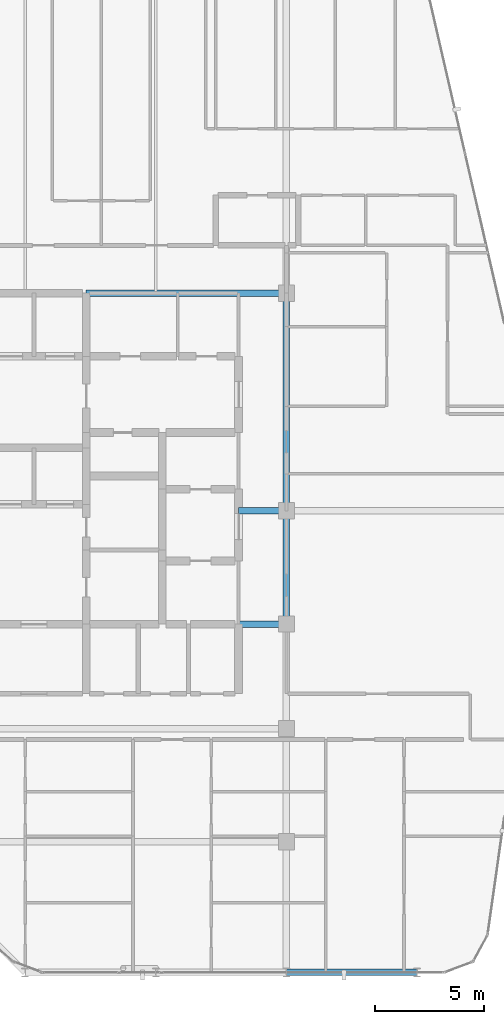
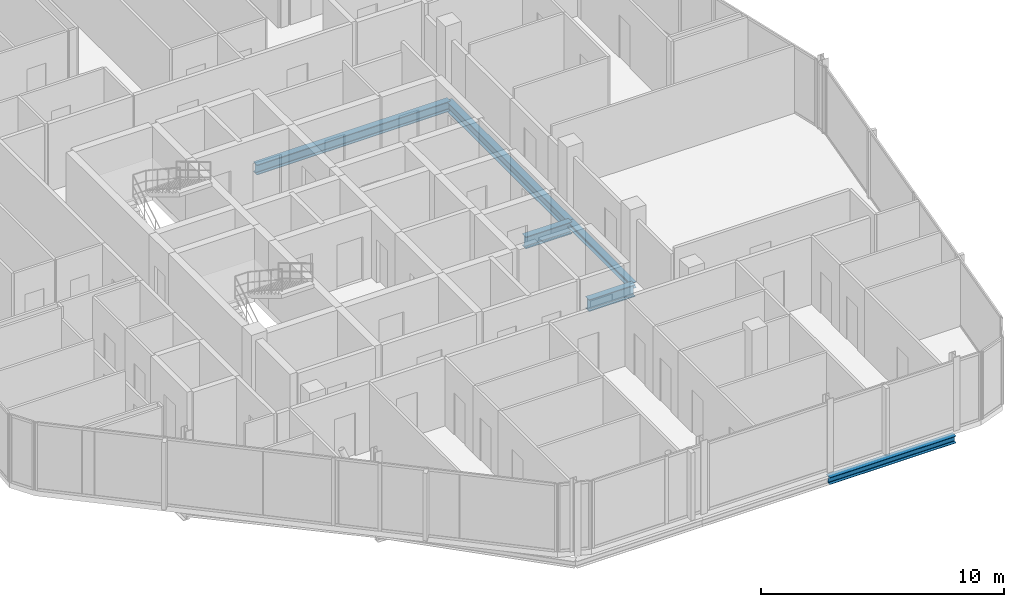
# One storey, part 11 of 28: 6 beams.
"""IFC4 building model written with IfcOpenShell, lengths in metres."""

from ifc_helpers import new_model, si_unit, direction, frame, origin, origin_2d, place, context, subcontext, project, spatial, i_section, extrude, material, material_profile, profile_set, type_object, element, save


model = new_model("IFC4")

# Units and contexts
model_context = context("Model", 3, precision=1e-05, world=origin(), true_north=direction((0.0, 1.0)))
body_context = subcontext(model_context, "Body", "Model", "MODEL_VIEW")
ifc_project = project(units=[si_unit("LENGTHUNIT", "METRE"), si_unit("AREAUNIT", "SQUARE_METRE"), si_unit("VOLUMEUNIT", "CUBIC_METRE"), si_unit("PLANEANGLEUNIT", "RADIAN"), si_unit("MASSUNIT", "GRAM", prefix="KILO")], contexts=[model_context])

# Site, building, storey
site_placement = place(None, origin())
site = spatial("IfcSite", under=ifc_project, at=site_placement, CompositionType="ELEMENT")
building_placement = place(site_placement, origin())
building = spatial("IfcBuilding", under=site, at=building_placement, Name="Keshet Zoharim Tower", CompositionType="ELEMENT")
storey_placement = place(building_placement, frame((0.0, 0.0, 251.0)))
storey = spatial("IfcBuildingStorey", under=building, at=storey_placement, Name="L62", CompositionType="ELEMENT", Elevation=251.0)

# Beams
ifc_material = material(Name="Steel S355", Category="steel")
ifc_material_profile_1 = material_profile(ifc_material, i_section(OverallWidth=0.300048828125, OverallDepth=0.60009765625, WebThickness=0.015380859375, FlangeThickness=0.030029296875, FilletRadius=0.027099609375, at=origin_2d()), Name="HEB600")
ifc_profile_set_1 = profile_set([ifc_material_profile_1], Name="Steel S355")
beam_type_1 = type_object("IfcBeamType", Name="BM-CLK-HB600", PredefinedType="BEAM", material=ifc_profile_set_1)
for number, where, z_axis, x_axis, name in (
    (1, (30.800048828125, 22.699951171875, -0.610107421875), (1.0, 0.0, 0.0), (0.0, 1.0, 0.0), "L62 Core Wall Link Girder 01"),
    (2, (30.800048828125, 27.89990234375, -0.610107421875), (1.0, 0.0, 0.0), (0.0, 1.0, 0.0), "L62 Core Wall Link Girder 02"),
):
    element("IfcBeam", number, at=place(storey_placement, frame(where, z_axis=z_axis, x_axis=x_axis)), inside=storey, type_object=beam_type_1, Name=name, PredefinedType="BEAM", context=body_context, shape_type="SweptSolid", body=[
        extrude(i_section(OverallWidth=0.300048828125, OverallDepth=0.60009765625, WebThickness=0.015380859375, FlangeThickness=0.030029296875, FilletRadius=0.027099609375, at=origin_2d()), origin(), (0.0, 0.0, 1.0), 2.199951171875),
    ])
ifc_material_profile_2 = material_profile(ifc_material, i_section(OverallWidth=0.300048828125, OverallDepth=0.5, WebThickness=0.014404296875, FlangeThickness=0.028076171875, FilletRadius=0.027099609375, at=origin_2d()), Name="HEB500")
ifc_profile_set_2 = profile_set([ifc_material_profile_2], Name="Steel S355")
beam_type_2 = type_object("IfcBeamType", Name="BM-MED-HB500", PredefinedType="BEAM", material=ifc_profile_set_2)
beam_1_placement = place(storey_placement, frame((23.800048828125, 37.89990234375, -0.56005859375), z_axis=(1.0, 0.0, 0.0), x_axis=(0.0, 1.0, 0.0)))
element("IfcBeam", 3, at=beam_1_placement, inside=storey, type_object=beam_type_2, Name="L62 Primary Girder X-009", PredefinedType="BEAM", context=body_context, shape_type="SweptSolid", body=[
    extrude(i_section(OverallWidth=0.300048828125, OverallDepth=0.5, WebThickness=0.014404296875, FlangeThickness=0.028076171875, FilletRadius=0.027099609375, at=origin_2d()), origin(), (0.0, 0.0, 1.0), 9.199951171875),
])
beam_2_placement = place(storey_placement, frame((33.0, 27.89990234375, -0.56005859375), z_axis=(0.0, 1.0, 0.0), x_axis=(-1.0, 0.0, 0.0)))
element("IfcBeam", 4, at=beam_2_placement, inside=storey, type_object=beam_type_2, Name="L62 Primary Girder Y-008", PredefinedType="BEAM", context=body_context, shape_type="SweptSolid", body=[
    extrude(i_section(OverallWidth=0.300048828125, OverallDepth=0.5, WebThickness=0.014404296875, FlangeThickness=0.028076171875, FilletRadius=0.027099609375, at=origin_2d()), origin(), (0.0, 0.0, 1.0), 10.0),
])
ifc_material_profile_3 = material_profile(ifc_material, i_section(OverallWidth=0.300048828125, OverallDepth=0.2900390625, WebThickness=0.008544921875, FlangeThickness=0.013916015625, FilletRadius=0.027099609375, at=origin_2d()), Name="HEA300")
ifc_profile_set_3 = profile_set([ifc_material_profile_3], Name="Steel S355")
beam_type_3 = type_object("IfcBeamType", Name="BM-PRI-HA300", PredefinedType="BEAM", material=ifc_profile_set_3)
beam_3_placement = place(storey_placement, frame((33.0, 22.699951171875, -0.455078125), z_axis=(0.0, 1.0, 0.0), x_axis=(-1.0, 0.0, 0.0)))
element("IfcBeam", 5, at=beam_3_placement, inside=storey, type_object=beam_type_3, Name="L62 Primary Girder Y-007", PredefinedType="BEAM", context=body_context, shape_type="SweptSolid", body=[
    extrude(i_section(OverallWidth=0.300048828125, OverallDepth=0.2900390625, WebThickness=0.008544921875, FlangeThickness=0.013916015625, FilletRadius=0.027099609375, at=origin_2d()), origin(), (0.0, 0.0, 1.0), 5.199951171875),
])
ifc_material_profile_4 = material_profile(ifc_material, i_section(OverallWidth=0.300048828125, OverallDepth=0.35009765625, WebThickness=0.010009765625, FlangeThickness=0.017578125, FilletRadius=0.027099609375, at=origin_2d()), Name="HEA360")
ifc_profile_set_4 = profile_set([ifc_material_profile_4], Name="Steel S355")
beam_type_4 = type_object("IfcBeamType", Name="BM-PRI-HA360", PredefinedType="BEAM", material=ifc_profile_set_4)
beam_4_placement = place(storey_placement, frame((33.0, 6.699951171875, -0.485107421875), z_axis=(1.0, 0.0, 0.0), x_axis=(0.0, 1.0, 0.0)))
element("IfcBeam", 6, at=beam_4_placement, inside=storey, type_object=beam_type_4, Name="L62 Primary Girder X-003", PredefinedType="BEAM", context=body_context, shape_type="SweptSolid", body=[
    extrude(i_section(OverallWidth=0.300048828125, OverallDepth=0.35009765625, WebThickness=0.010009765625, FlangeThickness=0.017578125, FilletRadius=0.027099609375, at=origin_2d()), origin(), (0.0, 0.0, 1.0), 6.0),
])

save(model, "model.ifc")
